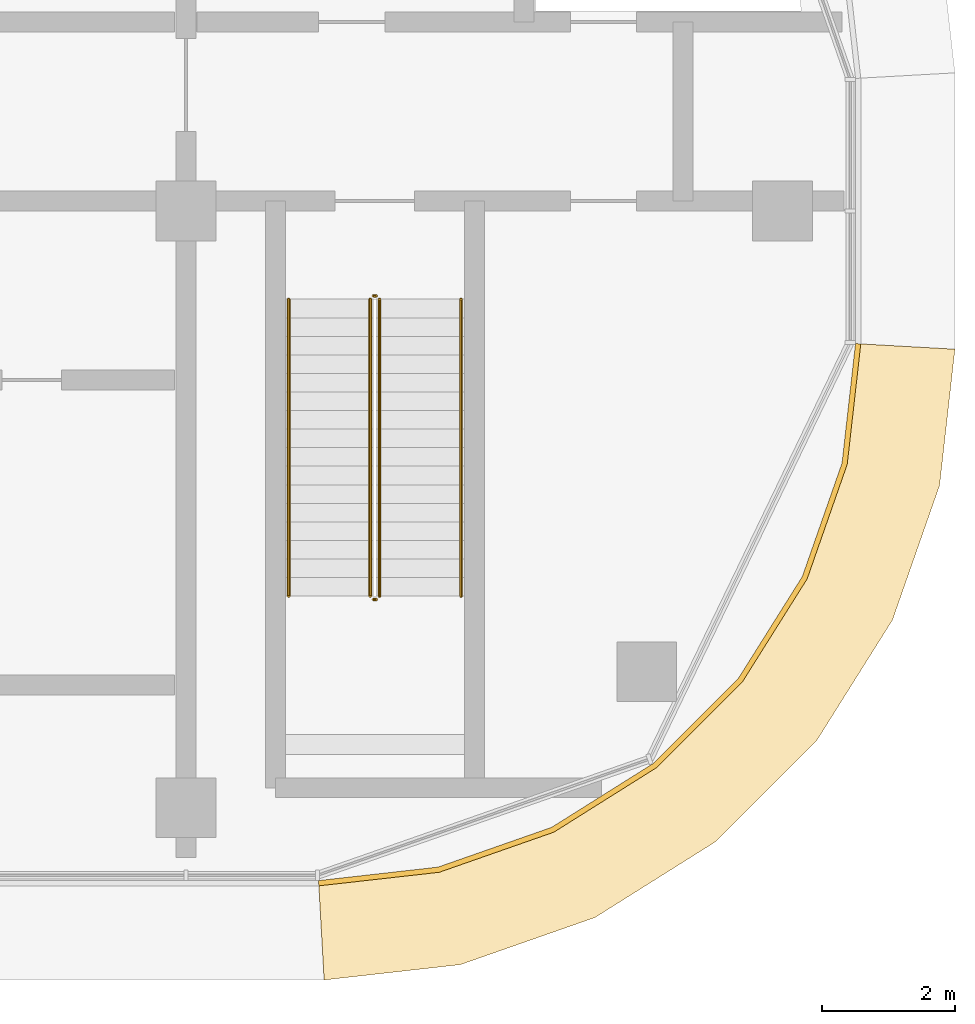
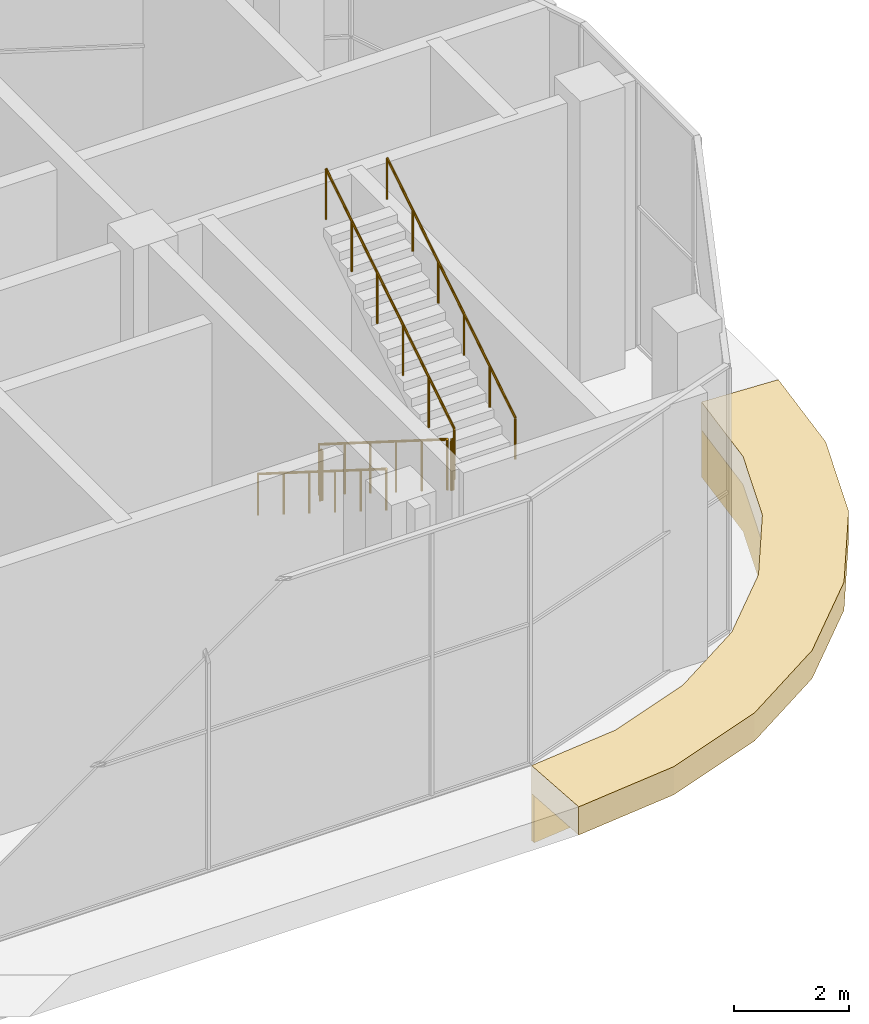
# One storey, part 22 of 23: 6 railings, 2 coverings.
"""IFC4 building model written with IfcOpenShell, lengths in metres."""

from ifc_helpers import new_model, si_unit, direction, frame, origin, origin_2d, place, context, subcontext, project, spatial, polyline, circle, outline, extrude, material, layer, layer_set, type_object, element, save


model = new_model("IFC4")

# Units and contexts
model_context = context("Model", 3, precision=1e-05, world=origin(), true_north=direction((0.0, 1.0)))
body_context = subcontext(model_context, "Body", "Model", "MODEL_VIEW")
ifc_project = project(units=[si_unit("LENGTHUNIT", "METRE"), si_unit("AREAUNIT", "SQUARE_METRE"), si_unit("VOLUMEUNIT", "CUBIC_METRE"), si_unit("PLANEANGLEUNIT", "RADIAN"), si_unit("MASSUNIT", "GRAM", prefix="KILO")], contexts=[model_context])

# Site, building, storey
site_placement = place(None, origin())
site = spatial("IfcSite", under=ifc_project, at=site_placement, CompositionType="ELEMENT")
building_placement = place(site_placement, origin())
building = spatial("IfcBuilding", under=site, at=building_placement, Name="Ogive Portal Towers", CompositionType="ELEMENT")
storey_placement = place(building_placement, frame((0.0, 0.0, 260.89990234375)))
storey = spatial("IfcBuildingStorey", under=building, at=storey_placement, Name="L64", CompositionType="ELEMENT", Elevation=260.89990234375)

# Railings
ifc_material_1 = material(Name="Stainless steel balustrade", Category="steel")
railing_type_1 = type_object("IfcRailingType", Name="INT-GUARD", PredefinedType="GUARDRAIL", material=ifc_material_1)
railing_1_placement = place(storey_placement, frame((88.280029296875, 29.169921875, 0.176513671875)))
element("IfcRailing", 1, at=railing_1_placement, inside=storey, type_object=railing_type_1, Name="L64 ST-A4 stair guard 1", PredefinedType="GUARDRAIL", context=body_context, shape_type="SweptSolid", body=[
    extrude(circle(Radius=0.02392578125, at=origin_2d()), frame((0.0, 0.0, 1.076171875), z_axis=(0.0, -0.845997938375, 0.533186166611), x_axis=(1.0, 0.0, 0.0)), (0.0, 0.0, 1.0), 5.29541015625),
    extrude(circle(Radius=0.02099609375, at=origin_2d()), origin(), (0.0, 0.0, 1.0), 1.052001953125),
    extrude(circle(Radius=0.02099609375, at=origin_2d()), frame((0.0, -0.89599609375, 0.564697265625)), (0.0, 0.0, 1.0), 1.052001953125),
    extrude(circle(Radius=0.02099609375, at=origin_2d()), frame((0.0, -1.7919921875, 1.12939453125)), (0.0, 0.0, 1.0), 1.052001953125),
    extrude(circle(Radius=0.02099609375, at=origin_2d()), frame((0.0, -2.68798828125, 1.694091796875)), (0.0, 0.0, 1.0), 1.052001953125),
    extrude(circle(Radius=0.02099609375, at=origin_2d()), frame((0.0, -3.583984375, 2.2587890625)), (0.0, 0.0, 1.0), 1.052001953125),
    extrude(circle(Radius=0.02099609375, at=origin_2d()), frame((0.0, -4.47998046875, 2.823486328125)), (0.0, 0.0, 1.0), 1.052001953125),
])
railing_2_placement = place(storey_placement, frame((88.330078125, 24.639892578125, 3.0)))
element("IfcRailing", 2, at=railing_2_placement, inside=storey, type_object=railing_type_1, Name="L64 ST-A4 stair guard 2", PredefinedType="GUARDRAIL", context=body_context, shape_type="SweptSolid", body=[
    extrude(circle(Radius=0.02392578125, at=origin_2d()), frame((0.0, 0.0, 1.076171875), z_axis=(1.0, 0.0, 0.0), x_axis=(0.0, 1.0, 0.0)), (0.0, 0.0, 1.0), 0.0400390625),
    extrude(circle(Radius=0.02099609375, at=origin_2d()), origin(), (0.0, 0.0, 1.0), 1.052001953125),
    extrude(circle(Radius=0.02099609375, at=origin_2d()), frame((0.0400390625, 0.0, 0.0)), (0.0, 0.0, 1.0), 1.052001953125),
])
railing_3_placement = place(storey_placement, frame((88.419921875, 24.68994140625, 3.176513671875)))
element("IfcRailing", 3, at=railing_3_placement, inside=storey, type_object=railing_type_1, Name="L64 ST-A4 stair guard 3", PredefinedType="GUARDRAIL", context=body_context, shape_type="SweptSolid", body=[
    extrude(circle(Radius=0.02392578125, at=origin_2d()), frame((0.0, 0.0, 1.076171875), z_axis=(0.0, 0.845997938375, 0.533186166611), x_axis=(-1.0, 0.0, 0.0)), (0.0, 0.0, 1.0), 5.29541015625),
    extrude(circle(Radius=0.02099609375, at=origin_2d()), origin(), (0.0, 0.0, 1.0), 1.052001953125),
    extrude(circle(Radius=0.02099609375, at=origin_2d()), frame((0.0, 0.89599609375, 0.564697265625)), (0.0, 0.0, 1.0), 1.052001953125),
    extrude(circle(Radius=0.02099609375, at=origin_2d()), frame((0.0, 1.7919921875, 1.12939453125)), (0.0, 0.0, 1.0), 1.052001953125),
    extrude(circle(Radius=0.02099609375, at=origin_2d()), frame((0.0, 2.68798828125, 1.694091796875)), (0.0, 0.0, 1.0), 1.052001953125),
    extrude(circle(Radius=0.02099609375, at=origin_2d()), frame((0.0, 3.583984375, 2.2587890625)), (0.0, 0.0, 1.0), 1.052001953125),
    extrude(circle(Radius=0.02099609375, at=origin_2d()), frame((0.0, 4.47998046875, 2.823486328125)), (0.0, 0.0, 1.0), 1.052001953125),
])
railing_4_placement = place(storey_placement, frame((88.330078125, 29.219970703125, 0.0)))
element("IfcRailing", 4, at=railing_4_placement, inside=storey, type_object=railing_type_1, Name="L64 ST-A4 stair guard 4", PredefinedType="GUARDRAIL", context=body_context, shape_type="SweptSolid", body=[
    extrude(circle(Radius=0.02392578125, at=origin_2d()), frame((0.0, 0.0, 1.076171875), z_axis=(1.0, 0.0, 0.0), x_axis=(0.0, 1.0, 0.0)), (0.0, 0.0, 1.0), 0.0400390625),
    extrude(circle(Radius=0.02099609375, at=origin_2d()), origin(), (0.0, 0.0, 1.0), 1.052001953125),
    extrude(circle(Radius=0.02099609375, at=origin_2d()), frame((0.0400390625, 0.0, 0.0)), (0.0, 0.0, 1.0), 1.052001953125),
])
ifc_material_2 = material(Name="Stainless steel handrail", Category="steel")
railing_type_2 = type_object("IfcRailingType", Name="INT-HANDRAIL", PredefinedType="HANDRAIL", material=ifc_material_2)
railing_5_placement = place(storey_placement, frame((87.050048828125, 29.169921875, 0.176513671875)))
element("IfcRailing", 5, at=railing_5_placement, inside=storey, type_object=railing_type_2, Name="L64 ST-A4 stair handrail 1", PredefinedType="HANDRAIL", context=body_context, shape_type="SweptSolid", body=[
    extrude(circle(Radius=0.02392578125, at=origin_2d()), frame((0.0, 0.0, 0.8759765625), z_axis=(0.0, -0.845997938375, 0.533186166611), x_axis=(1.0, 0.0, 0.0)), (0.0, 0.0, 1.0), 5.29541015625),
    extrude(circle(Radius=0.02099609375, at=origin_2d()), origin(), (0.0, 0.0, 1.0), 0.851806640625),
    extrude(circle(Radius=0.02099609375, at=origin_2d()), frame((0.0, -0.89599609375, 0.564697265625)), (0.0, 0.0, 1.0), 0.851806640625),
    extrude(circle(Radius=0.02099609375, at=origin_2d()), frame((0.0, -1.7919921875, 1.12939453125)), (0.0, 0.0, 1.0), 0.851806640625),
    extrude(circle(Radius=0.02099609375, at=origin_2d()), frame((0.0, -2.68798828125, 1.694091796875)), (0.0, 0.0, 1.0), 0.851806640625),
    extrude(circle(Radius=0.02099609375, at=origin_2d()), frame((0.0, -3.583984375, 2.2587890625)), (0.0, 0.0, 1.0), 0.851806640625),
    extrude(circle(Radius=0.02099609375, at=origin_2d()), frame((0.0, -4.47998046875, 2.823486328125)), (0.0, 0.0, 1.0), 0.851806640625),
])
railing_6_placement = place(storey_placement, frame((89.64990234375, 24.68994140625, 3.176513671875)))
element("IfcRailing", 6, at=railing_6_placement, inside=storey, type_object=railing_type_2, Name="L64 ST-A4 stair handrail 2", PredefinedType="HANDRAIL", context=body_context, shape_type="SweptSolid", body=[
    extrude(circle(Radius=0.02392578125, at=origin_2d()), frame((0.0, 0.0, 0.8759765625), z_axis=(0.0, 0.845997938375, 0.533186166611), x_axis=(-1.0, 0.0, 0.0)), (0.0, 0.0, 1.0), 5.29541015625),
    extrude(circle(Radius=0.02099609375, at=origin_2d()), origin(), (0.0, 0.0, 1.0), 0.851806640625),
    extrude(circle(Radius=0.02099609375, at=origin_2d()), frame((0.0, 0.89599609375, 0.564697265625)), (0.0, 0.0, 1.0), 0.851806640625),
    extrude(circle(Radius=0.02099609375, at=origin_2d()), frame((0.0, 1.7919921875, 1.12939453125)), (0.0, 0.0, 1.0), 0.851806640625),
    extrude(circle(Radius=0.02099609375, at=origin_2d()), frame((0.0, 2.68798828125, 1.694091796875)), (0.0, 0.0, 1.0), 0.851806640625),
    extrude(circle(Radius=0.02099609375, at=origin_2d()), frame((0.0, 3.583984375, 2.2587890625)), (0.0, 0.0, 1.0), 0.851806640625),
    extrude(circle(Radius=0.02099609375, at=origin_2d()), frame((0.0, 4.47998046875, 2.823486328125)), (0.0, 0.0, 1.0), 0.851806640625),
])

# Coverings
ifc_material_3 = material(Name="Limestone cladding on lightweight block wall", Category="masonry")
ifc_layer_1 = layer(ifc_material_3, 0.080078125)
ifc_layer_set_1 = layer_set([ifc_layer_1], Name="STONE SPANDREL 80")
covering_type_1 = type_object("IfcCoveringType", Name="STONE SPANDREL 80", PredefinedType="CLADDING", material=ifc_layer_set_1)
covering_1_placement = place(storey_placement, frame((0.0, 0.0, -1.599853515625)))
element("IfcCovering", 7, at=covering_1_placement, inside=storey, type_object=covering_type_1, Name="Stone spandrel A1-F06", PredefinedType="CLADDING", context=body_context, shape_type="SweptSolid", body=[
    extrude(outline(polyline([(87.5, 20.39990234375), (89.302490234375, 20.60302734375), (91.014404296875, 21.2021484375), (92.55029296875, 22.167236328125), (93.832763671875, 23.44970703125), (94.7978515625, 24.985595703125), (95.39697265625, 26.697509765625), (95.60009765625, 28.5), (95.679931640625, 28.49560546875), (95.475341796875, 26.6796875), (94.870361328125, 24.95068359375), (93.895751953125, 23.399658203125), (92.600341796875, 22.104248046875), (91.04931640625, 21.129638671875), (89.3203125, 20.524658203125), (87.50439453125, 20.320068359375), (87.5, 20.39990234375)])), origin(), (0.0, 0.0, 1.0), 1.0),
])
ifc_layer_2 = layer(ifc_material_3, 0.60009765625)
ifc_layer_set_2 = layer_set([ifc_layer_2], Name="SUNSHADE LIP 600")
covering_type_2 = type_object("IfcCoveringType", Name="SUNSHADE LIP 600", PredefinedType="CLADDING", material=ifc_layer_set_2)
covering_2_placement = place(storey_placement, frame((0.0, 0.0, -0.599853515625)))
element("IfcCovering", 8, at=covering_2_placement, inside=storey, type_object=covering_type_2, Name="Sunshade lip A1-F06", PredefinedType="CLADDING", context=body_context, shape_type="SweptSolid", body=[
    extrude(outline(polyline([(87.5, 20.39990234375), (89.302490234375, 20.60302734375), (91.014404296875, 21.2021484375), (92.55029296875, 22.167236328125), (93.832763671875, 23.44970703125), (94.7978515625, 24.985595703125), (95.39697265625, 26.697509765625), (95.60009765625, 28.5), (97.10009765625, 28.415771484375), (96.86865234375, 26.361572265625), (96.157958984375, 24.33056640625), (95.012939453125, 22.508544921875), (93.491455078125, 20.987060546875), (91.66943359375, 19.842041015625), (89.638427734375, 19.13134765625), (87.584228515625, 18.89990234375), (87.5, 20.39990234375)])), origin(), (0.0, 0.0, 1.0), 0.599853515625),
])

save(model, "model.ifc")
